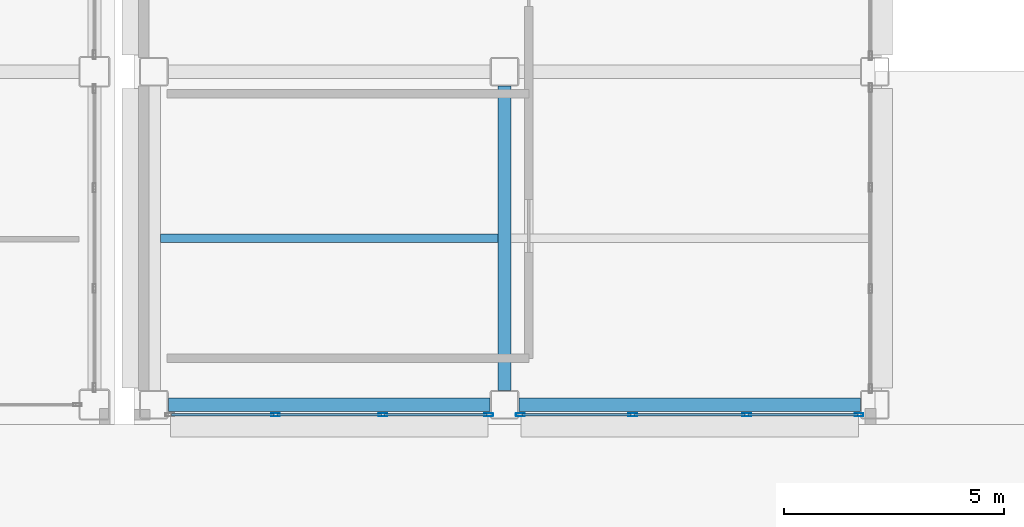
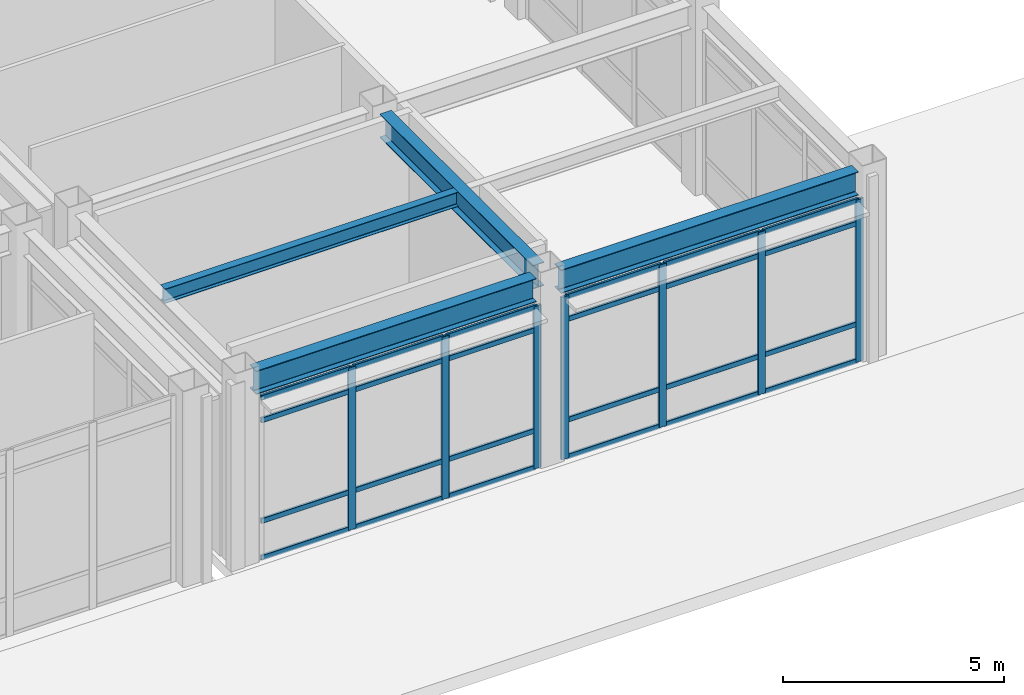
# One storey, part 34 of 165: 31 members, 4 beams, 2 elements without a shape of their own.
"""IFC4 building model written with IfcOpenShell, lengths in metres."""

from ifc_helpers import new_model, si_unit, direction, frame, origin, origin_2d, place, context, subcontext, project, spatial, hollow_rectangle, i_section, extrude, material, layer, layer_set, material_profile, profile_set, type_object, element, aggregate, save


model = new_model("IFC4")

# Units and contexts
model_context = context("Model", 3, precision=1e-05, world=origin(), true_north=direction((0.0, 1.0)))
body_context = subcontext(model_context, "Body", "Model", "MODEL_VIEW")
ifc_project = project(units=[si_unit("LENGTHUNIT", "METRE"), si_unit("AREAUNIT", "SQUARE_METRE"), si_unit("VOLUMEUNIT", "CUBIC_METRE"), si_unit("PLANEANGLEUNIT", "RADIAN"), si_unit("MASSUNIT", "GRAM", prefix="KILO")], contexts=[model_context])

# Site, building, storey
site_placement = place(None, origin())
site = spatial("IfcSite", under=ifc_project, at=site_placement, CompositionType="ELEMENT")
building_placement = place(site_placement, origin())
building = spatial("IfcBuilding", under=site, at=building_placement, Name="Kazehara Bluff Congress Hotel", CompositionType="ELEMENT")
storey_placement = place(building_placement, origin())
storey = spatial("IfcBuildingStorey", under=building, at=storey_placement, Name="L00", CompositionType="ELEMENT", Elevation=0.0)

# Curtain wall, members
ifc_material_1 = material(Name="Anodised aluminium", Category="aluminium")
ifc_layer_1 = layer(ifc_material_1, 0.159912109375)
ifc_layer_set_1 = layer_set([ifc_layer_1], Name="Anodised aluminium")
curtain_wall_type_1 = type_object("IfcCurtainWallType", Name="TP-CW-32", PredefinedType="NOTDEFINED", material=ifc_layer_set_1)
curtain_wall_1_placement = place(storey_placement, origin())
curtain_wall_1 = element("IfcCurtainWall", 1, at=curtain_wall_1_placement, inside=storey, type_object=curtain_wall_type_1, Name="L00 curtain wall CW-32 CW-ENC-V4-L00-6368-22", PredefinedType="NOTDEFINED")
ifc_material_2 = material(Name="Anodised aluminium", Category="aluminium")
ifc_material_profile_1 = material_profile(ifc_material_2, hollow_rectangle(XDim=0.070068359375, YDim=0.199951171875, WallThickness=0.0048828125, InnerFilletRadius=0.0048828125, OuterFilletRadius=0.010009765625, at=origin_2d()))
ifc_profile_set_1 = profile_set([ifc_material_profile_1], Name="Anodised aluminium")
member_type_1 = type_object("IfcMemberType", Name="TP-CWM-03", PredefinedType="MULLION", material=ifc_profile_set_1)
member_1_placement = place(storey_placement, frame((67.2900390625, 0.219970703125, 0.0), z_axis=(0.0, 0.0, 1.0), x_axis=(0.0, -1.0, 0.0)))
member_1 = element("IfcMember", 2, at=member_1_placement, type_object=member_type_1, Name="CW-32 mullion 1", PredefinedType="MULLION", context=body_context, shape_type="SweptSolid", body=[
    extrude(hollow_rectangle(XDim=0.070068359375, YDim=0.199951171875, WallThickness=0.0048828125, InnerFilletRadius=0.0048828125, OuterFilletRadius=0.010009765625, at=origin_2d()), origin(), (0.0, 0.0, 1.0), 4.47509765625),
])
member_2_placement = place(storey_placement, frame((64.8916015625, 0.219970703125, 0.0), z_axis=(0.0, 0.0, 1.0), x_axis=(0.0, -1.0, 0.0)))
member_2 = element("IfcMember", 3, at=member_2_placement, type_object=member_type_1, Name="CW-32 mullion 2", PredefinedType="MULLION", context=body_context, shape_type="SweptSolid", body=[
    extrude(hollow_rectangle(XDim=0.070068359375, YDim=0.199951171875, WallThickness=0.0048828125, InnerFilletRadius=0.0048828125, OuterFilletRadius=0.010009765625, at=origin_2d()), origin(), (0.0, 0.0, 1.0), 4.47509765625),
])
member_3_placement = place(storey_placement, frame((62.458251953125, 0.219970703125, 0.0), z_axis=(0.0, 0.0, 1.0), x_axis=(0.0, -1.0, 0.0)))
member_3 = element("IfcMember", 4, at=member_3_placement, type_object=member_type_1, Name="CW-32 mullion 3", PredefinedType="MULLION", context=body_context, shape_type="SweptSolid", body=[
    extrude(hollow_rectangle(XDim=0.070068359375, YDim=0.199951171875, WallThickness=0.0048828125, InnerFilletRadius=0.0048828125, OuterFilletRadius=0.010009765625, at=origin_2d()), origin(), (0.0, 0.0, 1.0), 4.47509765625),
])

ifc_material_3 = material(Name="Anodised aluminium", Category="aluminium")
ifc_layer_2 = layer(ifc_material_3, 0.159912109375)
ifc_layer_set_2 = layer_set([ifc_layer_2], Name="Anodised aluminium")
curtain_wall_type_2 = type_object("IfcCurtainWallType", Name="TP-CW-69", PredefinedType="NOTDEFINED", material=ifc_layer_set_2)
curtain_wall_2_placement = place(storey_placement, origin())
curtain_wall_2 = element("IfcCurtainWall", 5, at=curtain_wall_2_placement, inside=storey, type_object=curtain_wall_type_2, Name="L00 curtain wall CW-69 CW-ENC-V4-L00-7185-22", PredefinedType="NOTDEFINED")
member_4_placement = place(storey_placement, frame((75.68994140625, 0.219970703125, 0.0), z_axis=(0.0, 0.0, 1.0), x_axis=(0.0, -1.0, 0.0)))
member_4 = element("IfcMember", 6, at=member_4_placement, type_object=member_type_1, Name="CW-69 mullion 1", PredefinedType="MULLION", context=body_context, shape_type="SweptSolid", body=[
    extrude(hollow_rectangle(XDim=0.070068359375, YDim=0.199951171875, WallThickness=0.0048828125, InnerFilletRadius=0.0048828125, OuterFilletRadius=0.010009765625, at=origin_2d()), origin(), (0.0, 0.0, 1.0), 4.47509765625),
])
member_5_placement = place(storey_placement, frame((73.1416015625, 0.219970703125, 0.0), z_axis=(0.0, 0.0, 1.0), x_axis=(0.0, -1.0, 0.0)))
member_5 = element("IfcMember", 7, at=member_5_placement, type_object=member_type_1, Name="CW-69 mullion 2", PredefinedType="MULLION", context=body_context, shape_type="SweptSolid", body=[
    extrude(hollow_rectangle(XDim=0.070068359375, YDim=0.199951171875, WallThickness=0.0048828125, InnerFilletRadius=0.0048828125, OuterFilletRadius=0.010009765625, at=origin_2d()), origin(), (0.0, 0.0, 1.0), 4.47509765625),
])
member_6_placement = place(storey_placement, frame((70.558349609375, 0.219970703125, 0.0), z_axis=(0.0, 0.0, 1.0), x_axis=(0.0, -1.0, 0.0)))
member_6 = element("IfcMember", 8, at=member_6_placement, type_object=member_type_1, Name="CW-69 mullion 3", PredefinedType="MULLION", context=body_context, shape_type="SweptSolid", body=[
    extrude(hollow_rectangle(XDim=0.070068359375, YDim=0.199951171875, WallThickness=0.0048828125, InnerFilletRadius=0.0048828125, OuterFilletRadius=0.010009765625, at=origin_2d()), origin(), (0.0, 0.0, 1.0), 4.47509765625),
])
member_7_placement = place(storey_placement, frame((68.010009765625, 0.219970703125, 0.0), z_axis=(0.0, 0.0, 1.0), x_axis=(0.0, -1.0, 0.0)))
member_7 = element("IfcMember", 9, at=member_7_placement, type_object=member_type_1, Name="CW-69 mullion 4", PredefinedType="MULLION", context=body_context, shape_type="SweptSolid", body=[
    extrude(hollow_rectangle(XDim=0.070068359375, YDim=0.199951171875, WallThickness=0.0048828125, InnerFilletRadius=0.0048828125, OuterFilletRadius=0.010009765625, at=origin_2d()), origin(), (0.0, 0.0, 1.0), 4.47509765625),
])

# Member
ifc_material_4 = material(Name="Anodised aluminium", Category="aluminium")
ifc_material_profile_2 = material_profile(ifc_material_4, hollow_rectangle(XDim=0.06494140625, YDim=0.139892578125, WallThickness=0.00390625, InnerFilletRadius=0.00390625, OuterFilletRadius=0.008056640625, at=origin_2d()))
ifc_profile_set_2 = profile_set([ifc_material_profile_2], Name="Anodised aluminium")
member_type_2 = type_object("IfcMemberType", Name="TP-CWT-02", PredefinedType="USERDEFINED", material=ifc_profile_set_2)
member_8_placement = place(storey_placement, frame((67.2548828125, 0.219970703125, 0.032470703125), z_axis=(-1.0, 0.0, 0.0), x_axis=(0.0, -1.0, 0.0)))
member_8 = element("IfcMember", 10, at=member_8_placement, type_object=member_type_2, Name="CW-32 transom 1.1", ObjectType="TRANSOM", PredefinedType="USERDEFINED", context=body_context, shape_type="SweptSolid", body=[
    extrude(hollow_rectangle(XDim=0.06494140625, YDim=0.139892578125, WallThickness=0.00390625, InnerFilletRadius=0.00390625, OuterFilletRadius=0.008056640625, at=origin_2d()), origin(), (0.0, 0.0, 1.0), 2.328125),
])

member_9_placement = place(storey_placement, frame((67.2548828125, 0.219970703125, 1.050048828125), z_axis=(-1.0, 0.0, 0.0), x_axis=(0.0, -1.0, 0.0)))
member_9 = element("IfcMember", 11, at=member_9_placement, type_object=member_type_2, Name="CW-32 transom 1.2", ObjectType="TRANSOM", PredefinedType="USERDEFINED", context=body_context, shape_type="SweptSolid", body=[
    extrude(hollow_rectangle(XDim=0.06494140625, YDim=0.139892578125, WallThickness=0.00390625, InnerFilletRadius=0.00390625, OuterFilletRadius=0.008056640625, at=origin_2d()), origin(), (0.0, 0.0, 1.0), 2.328125),
])

member_10_placement = place(storey_placement, frame((67.2548828125, 0.219970703125, 3.824951171875), z_axis=(-1.0, 0.0, 0.0), x_axis=(0.0, -1.0, 0.0)))
member_10 = element("IfcMember", 12, at=member_10_placement, type_object=member_type_2, Name="CW-32 transom 1.3", ObjectType="TRANSOM", PredefinedType="USERDEFINED", context=body_context, shape_type="SweptSolid", body=[
    extrude(hollow_rectangle(XDim=0.06494140625, YDim=0.139892578125, WallThickness=0.00390625, InnerFilletRadius=0.00390625, OuterFilletRadius=0.008056640625, at=origin_2d()), origin(), (0.0, 0.0, 1.0), 2.328125),
])

member_11_placement = place(storey_placement, frame((67.2548828125, 0.219970703125, 4.4423828125), z_axis=(-1.0, 0.0, 0.0), x_axis=(0.0, -1.0, 0.0)))
member_11 = element("IfcMember", 13, at=member_11_placement, type_object=member_type_2, Name="CW-32 transom 1.4", ObjectType="TRANSOM", PredefinedType="USERDEFINED", context=body_context, shape_type="SweptSolid", body=[
    extrude(hollow_rectangle(XDim=0.06494140625, YDim=0.139892578125, WallThickness=0.00390625, InnerFilletRadius=0.00390625, OuterFilletRadius=0.008056640625, at=origin_2d()), origin(), (0.0, 0.0, 1.0), 2.328125),
])

member_12_placement = place(storey_placement, frame((64.856689453125, 0.219970703125, 0.032470703125), z_axis=(-1.0, 0.0, 0.0), x_axis=(0.0, -1.0, 0.0)))
member_12 = element("IfcMember", 14, at=member_12_placement, type_object=member_type_2, Name="CW-32 transom 2.1", ObjectType="TRANSOM", PredefinedType="USERDEFINED", context=body_context, shape_type="SweptSolid", body=[
    extrude(hollow_rectangle(XDim=0.06494140625, YDim=0.139892578125, WallThickness=0.00390625, InnerFilletRadius=0.00390625, OuterFilletRadius=0.008056640625, at=origin_2d()), origin(), (0.0, 0.0, 1.0), 2.36328125),
])

member_13_placement = place(storey_placement, frame((64.856689453125, 0.219970703125, 1.050048828125), z_axis=(-1.0, 0.0, 0.0), x_axis=(0.0, -1.0, 0.0)))
member_13 = element("IfcMember", 15, at=member_13_placement, type_object=member_type_2, Name="CW-32 transom 2.2", ObjectType="TRANSOM", PredefinedType="USERDEFINED", context=body_context, shape_type="SweptSolid", body=[
    extrude(hollow_rectangle(XDim=0.06494140625, YDim=0.139892578125, WallThickness=0.00390625, InnerFilletRadius=0.00390625, OuterFilletRadius=0.008056640625, at=origin_2d()), origin(), (0.0, 0.0, 1.0), 2.36328125),
])

member_14_placement = place(storey_placement, frame((64.856689453125, 0.219970703125, 3.824951171875), z_axis=(-1.0, 0.0, 0.0), x_axis=(0.0, -1.0, 0.0)))
member_14 = element("IfcMember", 16, at=member_14_placement, type_object=member_type_2, Name="CW-32 transom 2.3", ObjectType="TRANSOM", PredefinedType="USERDEFINED", context=body_context, shape_type="SweptSolid", body=[
    extrude(hollow_rectangle(XDim=0.06494140625, YDim=0.139892578125, WallThickness=0.00390625, InnerFilletRadius=0.00390625, OuterFilletRadius=0.008056640625, at=origin_2d()), origin(), (0.0, 0.0, 1.0), 2.36328125),
])

member_15_placement = place(storey_placement, frame((64.856689453125, 0.219970703125, 4.4423828125), z_axis=(-1.0, 0.0, 0.0), x_axis=(0.0, -1.0, 0.0)))
member_15 = element("IfcMember", 17, at=member_15_placement, type_object=member_type_2, Name="CW-32 transom 2.4", ObjectType="TRANSOM", PredefinedType="USERDEFINED", context=body_context, shape_type="SweptSolid", body=[
    extrude(hollow_rectangle(XDim=0.06494140625, YDim=0.139892578125, WallThickness=0.00390625, InnerFilletRadius=0.00390625, OuterFilletRadius=0.008056640625, at=origin_2d()), origin(), (0.0, 0.0, 1.0), 2.36328125),
])

member_16_placement = place(storey_placement, frame((62.42333984375, 0.219970703125, 0.032470703125), z_axis=(-1.0, 0.0, 0.0), x_axis=(0.0, -1.0, 0.0)))
member_16 = element("IfcMember", 18, at=member_16_placement, type_object=member_type_2, Name="CW-32 transom 3.1", ObjectType="TRANSOM", PredefinedType="USERDEFINED", context=body_context, shape_type="SweptSolid", body=[
    extrude(hollow_rectangle(XDim=0.06494140625, YDim=0.139892578125, WallThickness=0.00390625, InnerFilletRadius=0.00390625, OuterFilletRadius=0.008056640625, at=origin_2d()), origin(), (0.0, 0.0, 1.0), 2.328369140625),
])

member_17_placement = place(storey_placement, frame((62.42333984375, 0.219970703125, 1.050048828125), z_axis=(-1.0, 0.0, 0.0), x_axis=(0.0, -1.0, 0.0)))
member_17 = element("IfcMember", 19, at=member_17_placement, type_object=member_type_2, Name="CW-32 transom 3.2", ObjectType="TRANSOM", PredefinedType="USERDEFINED", context=body_context, shape_type="SweptSolid", body=[
    extrude(hollow_rectangle(XDim=0.06494140625, YDim=0.139892578125, WallThickness=0.00390625, InnerFilletRadius=0.00390625, OuterFilletRadius=0.008056640625, at=origin_2d()), origin(), (0.0, 0.0, 1.0), 2.328369140625),
])

member_18_placement = place(storey_placement, frame((62.42333984375, 0.219970703125, 3.824951171875), z_axis=(-1.0, 0.0, 0.0), x_axis=(0.0, -1.0, 0.0)))
member_18 = element("IfcMember", 20, at=member_18_placement, type_object=member_type_2, Name="CW-32 transom 3.3", ObjectType="TRANSOM", PredefinedType="USERDEFINED", context=body_context, shape_type="SweptSolid", body=[
    extrude(hollow_rectangle(XDim=0.06494140625, YDim=0.139892578125, WallThickness=0.00390625, InnerFilletRadius=0.00390625, OuterFilletRadius=0.008056640625, at=origin_2d()), origin(), (0.0, 0.0, 1.0), 2.328369140625),
])

member_19_placement = place(storey_placement, frame((62.42333984375, 0.219970703125, 4.4423828125), z_axis=(-1.0, 0.0, 0.0), x_axis=(0.0, -1.0, 0.0)))
member_19 = element("IfcMember", 21, at=member_19_placement, type_object=member_type_2, Name="CW-32 transom 3.4", ObjectType="TRANSOM", PredefinedType="USERDEFINED", context=body_context, shape_type="SweptSolid", body=[
    extrude(hollow_rectangle(XDim=0.06494140625, YDim=0.139892578125, WallThickness=0.00390625, InnerFilletRadius=0.00390625, OuterFilletRadius=0.008056640625, at=origin_2d()), origin(), (0.0, 0.0, 1.0), 2.328369140625),
])

aggregate(curtain_wall_1, [member_1, member_2, member_3, member_8, member_9, member_10, member_11, member_12, member_13, member_14, member_15, member_16, member_17, member_18, member_19])

member_20_placement = place(storey_placement, frame((75.655029296875, 0.219970703125, 0.032470703125), z_axis=(-1.0, 0.0, 0.0), x_axis=(0.0, -1.0, 0.0)))
member_20 = element("IfcMember", 22, at=member_20_placement, type_object=member_type_2, Name="CW-69 transom 1.1", ObjectType="TRANSOM", PredefinedType="USERDEFINED", context=body_context, shape_type="SweptSolid", body=[
    extrude(hollow_rectangle(XDim=0.06494140625, YDim=0.139892578125, WallThickness=0.00390625, InnerFilletRadius=0.00390625, OuterFilletRadius=0.008056640625, at=origin_2d()), origin(), (0.0, 0.0, 1.0), 2.478271484375),
])

member_21_placement = place(storey_placement, frame((75.655029296875, 0.219970703125, 1.050048828125), z_axis=(-1.0, 0.0, 0.0), x_axis=(0.0, -1.0, 0.0)))
member_21 = element("IfcMember", 23, at=member_21_placement, type_object=member_type_2, Name="CW-69 transom 1.2", ObjectType="TRANSOM", PredefinedType="USERDEFINED", context=body_context, shape_type="SweptSolid", body=[
    extrude(hollow_rectangle(XDim=0.06494140625, YDim=0.139892578125, WallThickness=0.00390625, InnerFilletRadius=0.00390625, OuterFilletRadius=0.008056640625, at=origin_2d()), origin(), (0.0, 0.0, 1.0), 2.478271484375),
])

member_22_placement = place(storey_placement, frame((75.655029296875, 0.219970703125, 3.824951171875), z_axis=(-1.0, 0.0, 0.0), x_axis=(0.0, -1.0, 0.0)))
member_22 = element("IfcMember", 24, at=member_22_placement, type_object=member_type_2, Name="CW-69 transom 1.3", ObjectType="TRANSOM", PredefinedType="USERDEFINED", context=body_context, shape_type="SweptSolid", body=[
    extrude(hollow_rectangle(XDim=0.06494140625, YDim=0.139892578125, WallThickness=0.00390625, InnerFilletRadius=0.00390625, OuterFilletRadius=0.008056640625, at=origin_2d()), origin(), (0.0, 0.0, 1.0), 2.478271484375),
])

member_23_placement = place(storey_placement, frame((75.655029296875, 0.219970703125, 4.4423828125), z_axis=(-1.0, 0.0, 0.0), x_axis=(0.0, -1.0, 0.0)))
member_23 = element("IfcMember", 25, at=member_23_placement, type_object=member_type_2, Name="CW-69 transom 1.4", ObjectType="TRANSOM", PredefinedType="USERDEFINED", context=body_context, shape_type="SweptSolid", body=[
    extrude(hollow_rectangle(XDim=0.06494140625, YDim=0.139892578125, WallThickness=0.00390625, InnerFilletRadius=0.00390625, OuterFilletRadius=0.008056640625, at=origin_2d()), origin(), (0.0, 0.0, 1.0), 2.478271484375),
])

member_24_placement = place(storey_placement, frame((73.106689453125, 0.219970703125, 0.032470703125), z_axis=(-1.0, 0.0, 0.0), x_axis=(0.0, -1.0, 0.0)))
member_24 = element("IfcMember", 26, at=member_24_placement, type_object=member_type_2, Name="CW-69 transom 2.1", ObjectType="TRANSOM", PredefinedType="USERDEFINED", context=body_context, shape_type="SweptSolid", body=[
    extrude(hollow_rectangle(XDim=0.06494140625, YDim=0.139892578125, WallThickness=0.00390625, InnerFilletRadius=0.00390625, OuterFilletRadius=0.008056640625, at=origin_2d()), origin(), (0.0, 0.0, 1.0), 2.513427734375),
])

member_25_placement = place(storey_placement, frame((73.106689453125, 0.219970703125, 1.050048828125), z_axis=(-1.0, 0.0, 0.0), x_axis=(0.0, -1.0, 0.0)))
member_25 = element("IfcMember", 27, at=member_25_placement, type_object=member_type_2, Name="CW-69 transom 2.2", ObjectType="TRANSOM", PredefinedType="USERDEFINED", context=body_context, shape_type="SweptSolid", body=[
    extrude(hollow_rectangle(XDim=0.06494140625, YDim=0.139892578125, WallThickness=0.00390625, InnerFilletRadius=0.00390625, OuterFilletRadius=0.008056640625, at=origin_2d()), origin(), (0.0, 0.0, 1.0), 2.513427734375),
])

member_26_placement = place(storey_placement, frame((73.106689453125, 0.219970703125, 3.824951171875), z_axis=(-1.0, 0.0, 0.0), x_axis=(0.0, -1.0, 0.0)))
member_26 = element("IfcMember", 28, at=member_26_placement, type_object=member_type_2, Name="CW-69 transom 2.3", ObjectType="TRANSOM", PredefinedType="USERDEFINED", context=body_context, shape_type="SweptSolid", body=[
    extrude(hollow_rectangle(XDim=0.06494140625, YDim=0.139892578125, WallThickness=0.00390625, InnerFilletRadius=0.00390625, OuterFilletRadius=0.008056640625, at=origin_2d()), origin(), (0.0, 0.0, 1.0), 2.513427734375),
])

member_27_placement = place(storey_placement, frame((73.106689453125, 0.219970703125, 4.4423828125), z_axis=(-1.0, 0.0, 0.0), x_axis=(0.0, -1.0, 0.0)))
member_27 = element("IfcMember", 29, at=member_27_placement, type_object=member_type_2, Name="CW-69 transom 2.4", ObjectType="TRANSOM", PredefinedType="USERDEFINED", context=body_context, shape_type="SweptSolid", body=[
    extrude(hollow_rectangle(XDim=0.06494140625, YDim=0.139892578125, WallThickness=0.00390625, InnerFilletRadius=0.00390625, OuterFilletRadius=0.008056640625, at=origin_2d()), origin(), (0.0, 0.0, 1.0), 2.513427734375),
])

member_28_placement = place(storey_placement, frame((70.5234375, 0.219970703125, 0.032470703125), z_axis=(-1.0, 0.0, 0.0), x_axis=(0.0, -1.0, 0.0)))
member_28 = element("IfcMember", 30, at=member_28_placement, type_object=member_type_2, Name="CW-69 transom 3.1", ObjectType="TRANSOM", PredefinedType="USERDEFINED", context=body_context, shape_type="SweptSolid", body=[
    extrude(hollow_rectangle(XDim=0.06494140625, YDim=0.139892578125, WallThickness=0.00390625, InnerFilletRadius=0.00390625, OuterFilletRadius=0.008056640625, at=origin_2d()), origin(), (0.0, 0.0, 1.0), 2.478515625),
])

member_29_placement = place(storey_placement, frame((70.5234375, 0.219970703125, 1.050048828125), z_axis=(-1.0, 0.0, 0.0), x_axis=(0.0, -1.0, 0.0)))
member_29 = element("IfcMember", 31, at=member_29_placement, type_object=member_type_2, Name="CW-69 transom 3.2", ObjectType="TRANSOM", PredefinedType="USERDEFINED", context=body_context, shape_type="SweptSolid", body=[
    extrude(hollow_rectangle(XDim=0.06494140625, YDim=0.139892578125, WallThickness=0.00390625, InnerFilletRadius=0.00390625, OuterFilletRadius=0.008056640625, at=origin_2d()), origin(), (0.0, 0.0, 1.0), 2.478515625),
])

member_30_placement = place(storey_placement, frame((70.5234375, 0.219970703125, 3.824951171875), z_axis=(-1.0, 0.0, 0.0), x_axis=(0.0, -1.0, 0.0)))
member_30 = element("IfcMember", 32, at=member_30_placement, type_object=member_type_2, Name="CW-69 transom 3.3", ObjectType="TRANSOM", PredefinedType="USERDEFINED", context=body_context, shape_type="SweptSolid", body=[
    extrude(hollow_rectangle(XDim=0.06494140625, YDim=0.139892578125, WallThickness=0.00390625, InnerFilletRadius=0.00390625, OuterFilletRadius=0.008056640625, at=origin_2d()), origin(), (0.0, 0.0, 1.0), 2.478515625),
])

member_31_placement = place(storey_placement, frame((70.5234375, 0.219970703125, 4.4423828125), z_axis=(-1.0, 0.0, 0.0), x_axis=(0.0, -1.0, 0.0)))
member_31 = element("IfcMember", 33, at=member_31_placement, type_object=member_type_2, Name="CW-69 transom 3.4", ObjectType="TRANSOM", PredefinedType="USERDEFINED", context=body_context, shape_type="SweptSolid", body=[
    extrude(hollow_rectangle(XDim=0.06494140625, YDim=0.139892578125, WallThickness=0.00390625, InnerFilletRadius=0.00390625, OuterFilletRadius=0.008056640625, at=origin_2d()), origin(), (0.0, 0.0, 1.0), 2.478515625),
])

aggregate(curtain_wall_2, [member_4, member_5, member_6, member_7, member_20, member_21, member_22, member_23, member_24, member_25, member_26, member_27, member_28, member_29, member_30, member_31])

# Beams
ifc_material_5 = material(Name="Steel SN490B", Category="steel")
ifc_material_profile_3 = material_profile(ifc_material_5, i_section(OverallWidth=0.300048828125, OverallDepth=0.64990234375, WebThickness=0.011962890625, FlangeThickness=0.02001953125, FilletRadius=0.012939453125, at=origin_2d()))
ifc_profile_set_3 = profile_set([ifc_material_profile_3], Name="Steel SN490B")
beam_type_1 = type_object("IfcBeamType", Name="TP-G-03", PredefinedType="BEAM", material=ifc_profile_set_3)
beam_1_placement = place(storey_placement, frame((67.64990234375, 0.77490234375, 4.824951171875), z_axis=(0.0, 1.0, 0.0), x_axis=(-1.0, 0.0, 0.0)))
element("IfcBeam", 34, at=beam_1_placement, inside=storey, type_object=beam_type_1, Name="L00 girder G-03 155", PredefinedType="BEAM", context=body_context, shape_type="SweptSolid", body=[
    extrude(i_section(OverallWidth=0.300048828125, OverallDepth=0.64990234375, WebThickness=0.011962890625, FlangeThickness=0.02001953125, FilletRadius=0.012939453125, at=origin_2d()), origin(), (0.0, 0.0, 1.0), 6.900146484375),
])
beam_2_placement = place(storey_placement, frame((60.02490234375, 0.449951171875, 4.824951171875), z_axis=(1.0, 0.0, 0.0), x_axis=(0.0, 1.0, 0.0)))
element("IfcBeam", 35, at=beam_2_placement, inside=storey, type_object=beam_type_1, Name="L00 girder G-03 185", PredefinedType="BEAM", context=body_context, shape_type="SweptSolid", body=[
    extrude(i_section(OverallWidth=0.300048828125, OverallDepth=0.64990234375, WebThickness=0.011962890625, FlangeThickness=0.02001953125, FilletRadius=0.012939453125, at=origin_2d()), origin(), (0.0, 0.0, 1.0), 7.300048828125),
])
beam_3_placement = place(storey_placement, frame((67.97509765625, 0.449951171875, 4.824951171875), z_axis=(1.0, 0.0, 0.0), x_axis=(0.0, 1.0, 0.0)))
element("IfcBeam", 36, at=beam_3_placement, inside=storey, type_object=beam_type_1, Name="L00 girder G-03 186", PredefinedType="BEAM", context=body_context, shape_type="SweptSolid", body=[
    extrude(i_section(OverallWidth=0.300048828125, OverallDepth=0.64990234375, WebThickness=0.011962890625, FlangeThickness=0.02001953125, FilletRadius=0.012939453125, at=origin_2d()), origin(), (0.0, 0.0, 1.0), 7.75),
])
ifc_material_6 = material(Name="Steel SN400B", Category="steel")
ifc_material_profile_4 = material_profile(ifc_material_6, i_section(OverallWidth=0.199951171875, OverallDepth=0.39990234375, WebThickness=0.008056640625, FlangeThickness=0.012939453125, FilletRadius=0.012939453125, at=origin_2d()))
ifc_profile_set_4 = profile_set([ifc_material_profile_4], Name="Steel SN400B")
beam_type_2 = type_object("IfcBeamType", Name="TP-J-03", PredefinedType="JOIST", material=ifc_profile_set_4)
beam_4_placement = place(storey_placement, frame((59.85009765625, 4.22509765625, 4.949951171875), z_axis=(1.0, 0.0, 0.0), x_axis=(0.0, 1.0, 0.0)))
element("IfcBeam", 37, at=beam_4_placement, inside=storey, type_object=beam_type_2, Name="L00 secondary joist J-03 31", PredefinedType="JOIST", context=body_context, shape_type="SweptSolid", body=[
    extrude(i_section(OverallWidth=0.199951171875, OverallDepth=0.39990234375, WebThickness=0.008056640625, FlangeThickness=0.012939453125, FilletRadius=0.012939453125, at=origin_2d()), origin(), (0.0, 0.0, 1.0), 7.64990234375),
])

save(model, "model.ifc")
